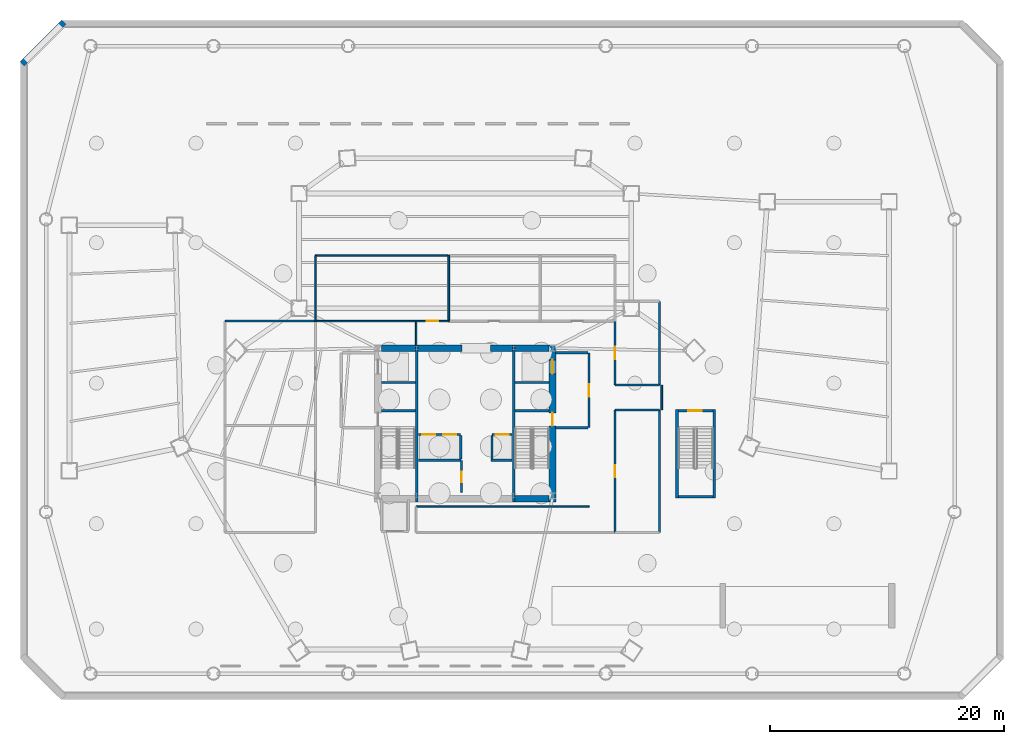
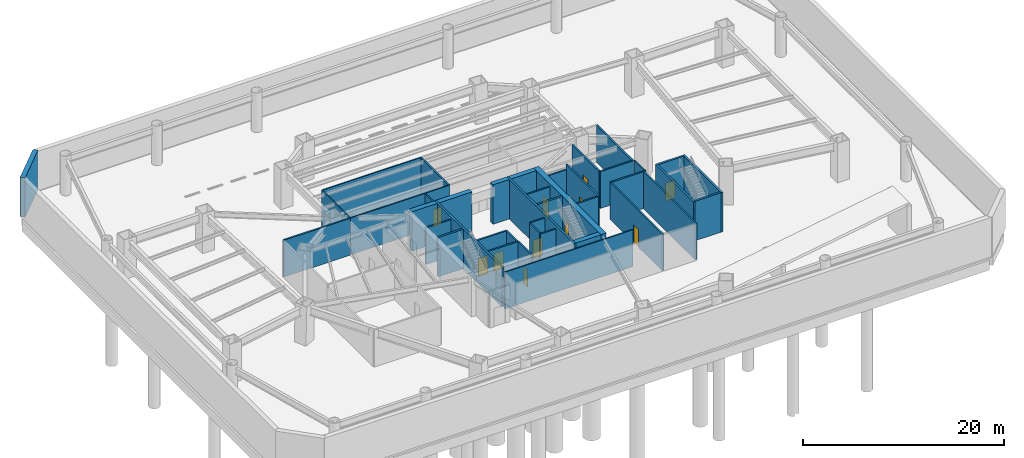
# One storey, part 7 of 11: 42 walls, 11 doors, 11 openings.
"""IFC4 building model written with IfcOpenShell, lengths in metres."""

from ifc_helpers import new_model, si_unit, direction, frame, frame_2d, origin, place, context, subcontext, project, spatial, rectangle, extrude, material, layer, layer_set, type_object, element, fill, save


model = new_model("IFC4")

# Units and contexts
model_context = context("Model", 3, precision=1e-05, world=origin(), true_north=direction((0.0, 1.0)))
body_context = subcontext(model_context, "Body", "Model", "MODEL_VIEW")
ifc_project = project(units=[si_unit("LENGTHUNIT", "METRE"), si_unit("AREAUNIT", "SQUARE_METRE"), si_unit("VOLUMEUNIT", "CUBIC_METRE"), si_unit("PLANEANGLEUNIT", "RADIAN"), si_unit("MASSUNIT", "GRAM", prefix="KILO")], contexts=[model_context])

# Site, building, storey
site_placement = place(None, origin())
site = spatial("IfcSite", under=ifc_project, at=site_placement, CompositionType="ELEMENT")
building_placement = place(site_placement, origin())
building = spatial("IfcBuilding", under=site, at=building_placement, Name="Caelisora Broadcast Tower", CompositionType="ELEMENT")
storey_placement = place(building_placement, frame((0.0, 0.0, -4.800048828125)))
storey = spatial("IfcBuildingStorey", under=building, at=storey_placement, Name="B1", CompositionType="ELEMENT", Elevation=-4.800048828125)

# Wall, openings, doors
ifc_material_1 = material(Name="Concrete 65 MPa (AS 3600 S65)", Category="concrete")
ifc_layer_1 = layer(ifc_material_1, 0.60009765625, Name="Concrete 65 MPa (AS 3600 S65)")
ifc_layer_set_1 = layer_set([ifc_layer_1], Name="Concrete 65 MPa (AS 3600 S65)")
wall_type_1 = type_object("IfcWallType", Name="CW1", PredefinedType="SHEAR", material=ifc_layer_set_1)
wall_1_placement = place(storey_placement, frame((45.4599609375, 16.85009765625, 0.0), z_axis=(0.0, 0.0, 1.0), x_axis=(0.0, 1.0, 0.0)))
wall_1 = element("IfcWall", 1, at=wall_1_placement, inside=storey, type_object=wall_type_1, Name="B1 core shear wall CW1", PredefinedType="SHEAR", context=body_context, shape_type="SweptSolid", body=[
    extrude(rectangle(XDim=13.4248046875, YDim=0.60009765625, at=frame_2d((6.71240234375, 0.0))), origin(), (0.0, 0.0, 1.0), 4.800048828125),
])
opening_1_placement = place(wall_1_placement, frame((6.5, 0.0, 0.0)))
opening_1 = element("IfcOpeningElement", 2, at=opening_1_placement, cuts=wall_1, Name="Opening FD04", PredefinedType="OPENING", context=body_context, shape_type="SweptSolid", body=[
    extrude(rectangle(XDim=1.1201171875, YDim=2.14990234375, at=frame_2d((0.56005859375, 1.074951171875))), frame((0.0, 0.31201171875, 0.0), z_axis=(0.0, -1.0, 0.0), x_axis=(1.0, 0.0, 0.0)), (0.0, 0.0, 1.0), 0.6240234375),
])
opening_2_placement = place(wall_1_placement, frame((10.949951171875, 0.0, 0.0)))
opening_2 = element("IfcOpeningElement", 3, at=opening_2_placement, cuts=wall_1, Name="Opening LD04", PredefinedType="OPENING", context=body_context, shape_type="SweptSolid", body=[
    extrude(rectangle(XDim=1.199951171875, YDim=2.199951171875, at=frame_2d((0.60009765625, 1.10009765625))), frame((0.0, 0.31201171875, 0.0), z_axis=(0.0, -1.0, 0.0), x_axis=(1.0, 0.0, 0.0)), (0.0, 0.0, 1.0), 0.6240234375),
])
ifc_material_2 = material(Name="Pressurised Fire-Isolated Stair Door", Category="steel")
door_type_1 = type_object("IfcDoorType", Name="FD04", OperationType="NOTDEFINED", PredefinedType="DOOR", material=ifc_material_2)
door_1_placement = place(opening_1_placement, origin())
door_1 = element("IfcDoor", 4, at=door_1_placement, inside=storey, type_object=door_type_1, Name="B1 door FD04 (B1-DR-ST2)", OperationType="SINGLE_SWING_RIGHT", OverallHeight=2.14990234375, OverallWidth=1.1201171875, PredefinedType="DOOR", context=body_context, shape_type="SweptSolid", body=[
    extrude(rectangle(XDim=1.1201171875, YDim=2.14990234375, at=frame_2d((0.56005859375, 1.074951171875))), frame((0.0, 0.02490234375, 0.0), z_axis=(0.0, -1.0, 0.0), x_axis=(1.0, 0.0, 0.0)), (0.0, 0.0, 1.0), 0.050048828125),
])
fill(opening_1, door_1)
ifc_material_3 = material(Name="Emergency Firefighting Lift Sliding Landing Door", Category="steel")
door_type_2 = type_object("IfcDoorType", Name="LD04", OperationType="NOTDEFINED", PredefinedType="DOOR", material=ifc_material_3)
door_2_placement = place(opening_2_placement, origin())
door_2 = element("IfcDoor", 5, at=door_2_placement, inside=storey, type_object=door_type_2, Name="B1 door LD04 (B1-LD-FFL2)", OperationType="SLIDING_TO_RIGHT", OverallHeight=2.199951171875, OverallWidth=1.199951171875, PredefinedType="DOOR", context=body_context, shape_type="SweptSolid", body=[
    extrude(rectangle(XDim=1.199951171875, YDim=2.199951171875, at=frame_2d((0.60009765625, 1.10009765625))), frame((0.0, 0.02490234375, 0.0), z_axis=(0.0, -1.0, 0.0), x_axis=(1.0, 0.0, 0.0)), (0.0, 0.0, 1.0), 0.050048828125),
])
fill(opening_2, door_2)

# Walls
ifc_layer_2 = layer(ifc_material_1, 0.550048828125, Name="Concrete 65 MPa (AS 3600 S65)")
ifc_layer_set_2 = layer_set([ifc_layer_2], Name="Concrete 65 MPa (AS 3600 S65)")
wall_type_2 = type_object("IfcWallType", Name="CW4", PredefinedType="SHEAR", material=ifc_layer_set_2)
for number, where, z_axis, x_axis, name in (
    (6, (42.260009765625, 17.125, 0.0), (0.0, 0.0, 1.0), (1.0, 0.0, 0.0), "B1 core shear wall CW4"),
    (7, (30.840087890625, 30.0, 0.0), (0.0, 0.0, 1.0), (1.0, 0.0, 0.0), "B1 core shear wall CW4"),
):
    element("IfcWall", number, at=place(storey_placement, frame(where, z_axis=z_axis, x_axis=x_axis)), inside=storey, type_object=wall_type_2, Name=name, PredefinedType="SHEAR", context=body_context, shape_type="SweptSolid", body=[
        extrude(rectangle(XDim=2.89990234375, YDim=0.550048828125, at=frame_2d((1.449951171875, 0.0))), origin(), (0.0, 0.0, 1.0), 4.800048828125),
    ])
wall_2_placement = place(storey_placement, frame((33.9599609375, 30.0, 0.0), z_axis=(0.0, 0.0, 1.0), x_axis=(1.0, 0.0, 0.0)))
element("IfcWall", 8, at=wall_2_placement, inside=storey, type_object=wall_type_2, Name="B1 core shear wall CW4", PredefinedType="SHEAR", context=body_context, shape_type="SweptSolid", body=[
    extrude(rectangle(XDim=3.780029296875, YDim=0.550048828125, at=frame_2d((1.89013671875, 0.0))), origin(), (0.0, 0.0, 1.0), 4.800048828125),
])
wall_3_placement = place(storey_placement, frame((40.159912109375, 30.0, 0.0), z_axis=(0.0, 0.0, 1.0), x_axis=(1.0, 0.0, 0.0)))
element("IfcWall", 9, at=wall_3_placement, inside=storey, type_object=wall_type_2, Name="B1 core shear wall CW4", PredefinedType="SHEAR", context=body_context, shape_type="SweptSolid", body=[
    extrude(rectangle(XDim=1.880126953125, YDim=0.550048828125, at=frame_2d((0.93994140625, 0.0))), origin(), (0.0, 0.0, 1.0), 4.800048828125),
])
wall_4_placement = place(storey_placement, frame((42.260009765625, 30.0, 0.0), z_axis=(0.0, 0.0, 1.0), x_axis=(1.0, 0.0, 0.0)))
element("IfcWall", 10, at=wall_4_placement, inside=storey, type_object=wall_type_2, Name="B1 core shear wall CW4", PredefinedType="SHEAR", context=body_context, shape_type="SweptSolid", body=[
    extrude(rectangle(XDim=2.89990234375, YDim=0.550048828125, at=frame_2d((1.449951171875, 0.0))), origin(), (0.0, 0.0, 1.0), 4.800048828125),
])
ifc_material_4 = material(Name="Concrete 50 MPa (AS 3600 S50)", Category="concrete")
ifc_layer_3 = layer(ifc_material_4, 0.219970703125, Name="Concrete 50 MPa (AS 3600 S50)")
ifc_layer_set_3 = layer_set([ifc_layer_3], Name="Concrete 50 MPa (AS 3600 S50)")
wall_type_3 = type_object("IfcWallType", Name="CW7", PredefinedType="SHEAR", material=ifc_layer_set_3)
for number, where, z_axis, x_axis, name in (
    (11, (33.85009765625, 16.85009765625, 0.0), (0.0, 0.0, 1.0), (0.0, 1.0, 0.0), "B1 core shear wall CW7"),
    (12, (42.14990234375, 16.85009765625, 0.0), (0.0, 0.0, 1.0), (0.0, 1.0, 0.0), "B1 core shear wall CW7"),
):
    element("IfcWall", number, at=place(storey_placement, frame(where, z_axis=z_axis, x_axis=x_axis)), inside=storey, type_object=wall_type_3, Name=name, PredefinedType="SHEAR", context=body_context, shape_type="SweptSolid", body=[
        extrude(rectangle(XDim=13.4248046875, YDim=0.219970703125, at=frame_2d((6.71240234375, 0.0))), origin(), (0.0, 0.0, 1.0), 4.800048828125),
    ])
for number, where, z_axis, x_axis, name in (
    (13, (30.840087890625, 24.639892578125, 0.0), (0.0, 0.0, 1.0), (1.0, 0.0, 0.0), "B1 core shear wall CW7"),
    (14, (42.260009765625, 24.639892578125, 0.0), (0.0, 0.0, 1.0), (1.0, 0.0, 0.0), "B1 core shear wall CW7"),
):
    element("IfcWall", number, at=place(storey_placement, frame(where, z_axis=z_axis, x_axis=x_axis)), inside=storey, type_object=wall_type_3, Name=name, PredefinedType="SHEAR", context=body_context, shape_type="SweptSolid", body=[
        extrude(rectangle(XDim=2.89990234375, YDim=0.219970703125, at=frame_2d((1.449951171875, 0.0))), origin(), (0.0, 0.0, 1.0), 4.800048828125),
    ])
for number, where, z_axis, x_axis, name in (
    (15, (56.090087890625, 17.179931640625, 0.0), (0.0, 0.0, 1.0), (0.0, 1.0, 0.0), "B1 core shear wall CW7"),
    (16, (59.27001953125, 17.179931640625, 0.0), (0.0, 0.0, 1.0), (0.0, 1.0, 0.0), "B1 core shear wall CW7"),
):
    element("IfcWall", number, at=place(storey_placement, frame(where, z_axis=z_axis, x_axis=x_axis)), inside=storey, type_object=wall_type_3, Name=name, PredefinedType="SHEAR", context=body_context, shape_type="SweptSolid", body=[
        extrude(rectangle(XDim=7.580078125, YDim=0.219970703125, at=frame_2d((3.7900390625, 0.0))), origin(), (0.0, 0.0, 1.0), 4.800048828125),
    ])
wall_5_placement = place(storey_placement, frame((56.199951171875, 17.2900390625, 0.0), z_axis=(0.0, 0.0, 1.0), x_axis=(1.0, 0.0, 0.0)))
element("IfcWall", 17, at=wall_5_placement, inside=storey, type_object=wall_type_3, Name="B1 core shear wall CW7", PredefinedType="SHEAR", context=body_context, shape_type="SweptSolid", body=[
    extrude(rectangle(XDim=2.9599609375, YDim=0.219970703125, at=frame_2d((1.47998046875, 0.0))), origin(), (0.0, 0.0, 1.0), 4.800048828125),
])

# Wall, opening, door
wall_6_placement = place(storey_placement, frame((56.199951171875, 24.64990234375, 0.0), z_axis=(0.0, 0.0, 1.0), x_axis=(1.0, 0.0, 0.0)))
wall_6 = element("IfcWall", 18, at=wall_6_placement, inside=storey, type_object=wall_type_3, Name="B1 core shear wall CW7", PredefinedType="SHEAR", context=body_context, shape_type="SweptSolid", body=[
    extrude(rectangle(XDim=2.9599609375, YDim=0.219970703125, at=frame_2d((1.47998046875, 0.0))), origin(), (0.0, 0.0, 1.0), 4.800048828125),
])
opening_3_placement = place(wall_6_placement, frame((0.8701171875, 0.0, 0.0)))
opening_3 = element("IfcOpeningElement", 19, at=opening_3_placement, cuts=wall_6, Name="Opening FD04", PredefinedType="OPENING", context=body_context, shape_type="SweptSolid", body=[
    extrude(rectangle(XDim=1.1201171875, YDim=2.14990234375, at=frame_2d((0.56005859375, 1.074951171875))), frame((0.0, 0.1220703125, 0.0), z_axis=(0.0, -1.0, 0.0), x_axis=(1.0, 0.0, 0.0)), (0.0, 0.0, 1.0), 0.243896484375),
])
door_3_placement = place(opening_3_placement, origin())
door_3 = element("IfcDoor", 20, at=door_3_placement, inside=storey, type_object=door_type_1, Name="B1 door FD04 (B1-DR-ST3)", OperationType="SINGLE_SWING_LEFT", OverallHeight=2.14990234375, OverallWidth=1.1201171875, PredefinedType="DOOR", context=body_context, shape_type="SweptSolid", body=[
    extrude(rectangle(XDim=1.1201171875, YDim=2.14990234375, at=frame_2d((0.56005859375, 1.074951171875))), frame((0.0, 0.02490234375, 0.0), z_axis=(0.0, -1.0, 0.0), x_axis=(1.0, 0.0, 0.0)), (0.0, 0.0, 1.0), 0.050048828125),
])
fill(opening_3, door_3)

# Wall, openings, doors
ifc_material_5 = material(Name="Fire-Rated Gypsum Shaft and Compartment Wall", Category="gypsum")
ifc_layer_4 = layer(ifc_material_5, 0.179931640625, Name="Fire-Rated Gypsum Shaft and Compartment Wall")
ifc_layer_set_4 = layer_set([ifc_layer_4], Name="Fire-Rated Gypsum Shaft and Compartment Wall")
wall_type_4 = type_object("IfcWallType", Name="PW2", PredefinedType="PARTITIONING", material=ifc_layer_set_4)
wall_7_placement = place(storey_placement, frame((34.02001953125, 22.6201171875, 0.0), z_axis=(0.0, 0.0, 1.0), x_axis=(1.0, 0.0, 0.0)))
wall_7 = element("IfcWall", 21, at=wall_7_placement, inside=storey, type_object=wall_type_4, Name="B1 fire compartment wall PW2", PredefinedType="PARTITIONING", context=body_context, shape_type="SweptSolid", body=[
    extrude(rectangle(XDim=3.60009765625, YDim=0.179931640625, at=frame_2d((1.800048828125, 0.0))), origin(), (0.0, 0.0, 1.0), 4.47998046875),
])
opening_4_placement = place(wall_7_placement, frame((0.320068359375, 0.0, 0.0)))
opening_4 = element("IfcOpeningElement", 22, at=opening_4_placement, cuts=wall_7, Name="Opening LD01", PredefinedType="OPENING", context=body_context, shape_type="SweptSolid", body=[
    extrude(rectangle(XDim=1.10009765625, YDim=2.199951171875, at=frame_2d((0.550048828125, 1.10009765625))), frame((0.0, 0.10205078125, 0.0), z_axis=(0.0, -1.0, 0.0), x_axis=(1.0, 0.0, 0.0)), (0.0, 0.0, 1.0), 0.203857421875),
])
opening_5_placement = place(wall_7_placement, frame((2.1201171875, 0.0, 0.0)))
opening_5 = element("IfcOpeningElement", 23, at=opening_5_placement, cuts=wall_7, Name="Opening LD01", PredefinedType="OPENING", context=body_context, shape_type="SweptSolid", body=[
    extrude(rectangle(XDim=1.10009765625, YDim=2.199951171875, at=frame_2d((0.550048828125, 1.10009765625))), frame((0.0, 0.10205078125, 0.0), z_axis=(0.0, -1.0, 0.0), x_axis=(1.0, 0.0, 0.0)), (0.0, 0.0, 1.0), 0.203857421875),
])
ifc_material_6 = material(Name="Stainless Steel Centre-Parting Lift Landing Door", Category="steel")
door_type_3 = type_object("IfcDoorType", Name="LD01", OperationType="NOTDEFINED", PredefinedType="DOOR", material=ifc_material_6)
door_4_placement = place(opening_4_placement, origin())
door_4 = element("IfcDoor", 24, at=door_4_placement, inside=storey, type_object=door_type_3, Name="B1 door LD01 (B1-LD-PLL1)", OperationType="SLIDING_TO_LEFT", OverallHeight=2.199951171875, OverallWidth=1.10009765625, PredefinedType="DOOR", context=body_context, shape_type="SweptSolid", body=[
    extrude(rectangle(XDim=1.10009765625, YDim=2.199951171875, at=frame_2d((0.550048828125, 1.10009765625))), frame((0.0, 0.02490234375, 0.0), z_axis=(0.0, -1.0, 0.0), x_axis=(1.0, 0.0, 0.0)), (0.0, 0.0, 1.0), 0.050048828125),
])
fill(opening_4, door_4)
door_5_placement = place(opening_5_placement, origin())
door_5 = element("IfcDoor", 25, at=door_5_placement, inside=storey, type_object=door_type_3, Name="B1 door LD01 (B1-LD-PLL2)", OperationType="SLIDING_TO_RIGHT", OverallHeight=2.199951171875, OverallWidth=1.10009765625, PredefinedType="DOOR", context=body_context, shape_type="SweptSolid", body=[
    extrude(rectangle(XDim=1.10009765625, YDim=2.199951171875, at=frame_2d((0.550048828125, 1.10009765625))), frame((0.0, 0.02490234375, 0.0), z_axis=(0.0, -1.0, 0.0), x_axis=(1.0, 0.0, 0.0)), (0.0, 0.0, 1.0), 0.050048828125),
])
fill(opening_5, door_5)

# Wall, opening, door
wall_8_placement = place(storey_placement, frame((40.280029296875, 22.6201171875, 0.0), z_axis=(0.0, 0.0, 1.0), x_axis=(1.0, 0.0, 0.0)))
wall_8 = element("IfcWall", 26, at=wall_8_placement, inside=storey, type_object=wall_type_4, Name="B1 fire compartment wall PW2", PredefinedType="PARTITIONING", context=body_context, shape_type="SweptSolid", body=[
    extrude(rectangle(XDim=1.699951171875, YDim=0.179931640625, at=frame_2d((0.85009765625, 0.0))), origin(), (0.0, 0.0, 1.0), 4.47998046875),
])
opening_6_placement = place(wall_8_placement, frame((0.35009765625, 0.0, 0.0)))
opening_6 = element("IfcOpeningElement", 27, at=opening_6_placement, cuts=wall_8, Name="Opening LD01", PredefinedType="OPENING", context=body_context, shape_type="SweptSolid", body=[
    extrude(rectangle(XDim=1.10009765625, YDim=2.199951171875, at=frame_2d((0.550048828125, 1.10009765625))), frame((0.0, 0.10205078125, 0.0), z_axis=(0.0, -1.0, 0.0), x_axis=(1.0, 0.0, 0.0)), (0.0, 0.0, 1.0), 0.203857421875),
])
door_6_placement = place(opening_6_placement, origin())
door_6 = element("IfcDoor", 28, at=door_6_placement, inside=storey, type_object=door_type_3, Name="B1 door LD01 (B1-LD-PLL3)", OperationType="SLIDING_TO_LEFT", OverallHeight=2.199951171875, OverallWidth=1.10009765625, PredefinedType="DOOR", context=body_context, shape_type="SweptSolid", body=[
    extrude(rectangle(XDim=1.10009765625, YDim=2.199951171875, at=frame_2d((0.550048828125, 1.10009765625))), frame((0.0, 0.02490234375, 0.0), z_axis=(0.0, -1.0, 0.0), x_axis=(1.0, 0.0, 0.0)), (0.0, 0.0, 1.0), 0.050048828125),
])
fill(opening_6, door_6)

# Walls
for number, where, z_axis, x_axis, name in (
    (29, (37.6201171875, 20.52001953125, 0.0), (0.0, 0.0, 1.0), (0.0, 1.0, 0.0), "B1 fire compartment wall PW2"),
    (30, (40.280029296875, 20.52001953125, 0.0), (0.0, 0.0, 1.0), (0.0, 1.0, 0.0), "B1 fire compartment wall PW2"),
):
    element("IfcWall", number, at=place(storey_placement, frame(where, z_axis=z_axis, x_axis=x_axis)), inside=storey, type_object=wall_type_4, Name=name, PredefinedType="PARTITIONING", context=body_context, shape_type="SweptSolid", body=[
        extrude(rectangle(XDim=2.0, YDim=0.179931640625, at=frame_2d((1.0, 0.0))), origin(), (0.0, 0.0, 1.0), 4.47998046875),
    ])

# Wall, opening, door
wall_9_placement = place(storey_placement, frame((48.580078125, 23.199951171875, 0.0), z_axis=(0.0, 0.0, 1.0), x_axis=(0.0, 1.0, 0.0)))
wall_9 = element("IfcWall", 31, at=wall_9_placement, inside=storey, type_object=wall_type_4, Name="B1 fire compartment wall PW2", PredefinedType="PARTITIONING", context=body_context, shape_type="SweptSolid", body=[
    extrude(rectangle(XDim=6.400146484375, YDim=0.179931640625, at=frame_2d((3.2001953125, 0.0))), origin(), (0.0, 0.0, 1.0), 4.47998046875),
])
opening_7_placement = place(wall_9_placement, frame((2.64990234375, 0.0, 0.0)))
opening_7 = element("IfcOpeningElement", 32, at=opening_7_placement, cuts=wall_9, Name="Opening FD02", PredefinedType="OPENING", context=body_context, shape_type="SweptSolid", body=[
    extrude(rectangle(XDim=1.050048828125, YDim=2.14990234375, at=frame_2d((0.52490234375, 1.074951171875))), frame((0.0, 0.10205078125, 0.0), z_axis=(0.0, -1.0, 0.0), x_axis=(1.0, 0.0, 0.0)), (0.0, 0.0, 1.0), 0.203857421875),
])
ifc_material_7 = material(Name="Single-Leaf Steel Fire Lobby Door", Category="steel")
door_type_4 = type_object("IfcDoorType", Name="FD02", OperationType="NOTDEFINED", PredefinedType="DOOR", material=ifc_material_7)
door_7_placement = place(opening_7_placement, origin())
door_7 = element("IfcDoor", 33, at=door_7_placement, inside=storey, type_object=door_type_4, Name="B1 door FD02 (B1-DR-P04D1)", OperationType="SINGLE_SWING_RIGHT", OverallHeight=2.14990234375, OverallWidth=1.050048828125, PredefinedType="DOOR", context=body_context, shape_type="SweptSolid", body=[
    extrude(rectangle(XDim=1.050048828125, YDim=2.14990234375, at=frame_2d((0.52490234375, 1.074951171875))), frame((0.0, 0.02490234375, 0.0), z_axis=(0.0, -1.0, 0.0), x_axis=(1.0, 0.0, 0.0)), (0.0, 0.0, 1.0), 0.050048828125),
])
fill(opening_7, door_7)

# Walls
wall_10_placement = place(storey_placement, frame((45.719970703125, 23.199951171875, 0.0), z_axis=(0.0, 0.0, 1.0), x_axis=(1.0, 0.0, 0.0)))
element("IfcWall", 34, at=wall_10_placement, inside=storey, type_object=wall_type_4, Name="B1 fire compartment wall PW2", PredefinedType="PARTITIONING", context=body_context, shape_type="SweptSolid", body=[
    extrude(rectangle(XDim=2.760009765625, YDim=0.179931640625, at=frame_2d((1.3798828125, 0.0))), origin(), (0.0, 0.0, 1.0), 4.47998046875),
])
wall_11_placement = place(storey_placement, frame((45.719970703125, 29.60009765625, 0.0), z_axis=(0.0, 0.0, 1.0), x_axis=(1.0, 0.0, 0.0)))
element("IfcWall", 35, at=wall_11_placement, inside=storey, type_object=wall_type_4, Name="B1 fire compartment wall PW2", PredefinedType="PARTITIONING", context=body_context, shape_type="SweptSolid", body=[
    extrude(rectangle(XDim=2.760009765625, YDim=0.179931640625, at=frame_2d((1.3798828125, 0.0))), origin(), (0.0, 0.0, 1.0), 3.853515625),
])
for number, where, z_axis, x_axis, name in (
    (36, (30.860107421875, 27.070068359375, 0.0), (0.0, 0.0, 1.0), (1.0, 0.0, 0.0), "B1 fire compartment wall PW2"),
    (37, (42.239990234375, 27.070068359375, 0.0), (0.0, 0.0, 1.0), (1.0, 0.0, 0.0), "B1 fire compartment wall PW2"),
):
    element("IfcWall", number, at=place(storey_placement, frame(where, z_axis=z_axis, x_axis=x_axis)), inside=storey, type_object=wall_type_4, Name=name, PredefinedType="PARTITIONING", context=body_context, shape_type="SweptSolid", body=[
        extrude(rectangle(XDim=2.89990234375, YDim=0.179931640625, at=frame_2d((1.449951171875, 0.0))), origin(), (0.0, 0.0, 1.0), 4.47998046875),
    ])
wall_12_placement = place(storey_placement, frame((34.02001953125, 20.419921875, 0.0), z_axis=(0.0, 0.0, 1.0), x_axis=(1.0, 0.0, 0.0)))
element("IfcWall", 38, at=wall_12_placement, inside=storey, type_object=wall_type_4, Name="B1 fire compartment wall PW2", PredefinedType="PARTITIONING", context=body_context, shape_type="SweptSolid", body=[
    extrude(rectangle(XDim=3.639892578125, YDim=0.179931640625, at=frame_2d((1.81982421875, 0.0))), origin(), (0.0, 0.0, 1.0), 4.47998046875),
])
wall_13_placement = place(storey_placement, frame((40.219970703125, 20.419921875, 0.0), z_axis=(0.0, 0.0, 1.0), x_axis=(1.0, 0.0, 0.0)))
element("IfcWall", 39, at=wall_13_placement, inside=storey, type_object=wall_type_4, Name="B1 fire compartment wall PW2", PredefinedType="PARTITIONING", context=body_context, shape_type="SweptSolid", body=[
    extrude(rectangle(XDim=1.760009765625, YDim=0.179931640625, at=frame_2d((0.8798828125, 0.0))), origin(), (0.0, 0.0, 1.0), 4.47998046875),
])

# Wall, opening, door
wall_14_placement = place(storey_placement, frame((37.679931640625, 17.679931640625, 0.0), z_axis=(0.0, 0.0, 1.0), x_axis=(0.0, 1.0, 0.0)))
wall_14 = element("IfcWall", 40, at=wall_14_placement, inside=storey, type_object=wall_type_4, Name="B1 fire compartment wall PW2", PredefinedType="PARTITIONING", context=body_context, shape_type="SweptSolid", body=[
    extrude(rectangle(XDim=2.699951171875, YDim=0.179931640625, at=frame_2d((1.35009765625, 0.0))), origin(), (0.0, 0.0, 1.0), 4.47998046875),
])
opening_8_placement = place(wall_14_placement, frame((0.85009765625, 0.0, 0.0)))
opening_8 = element("IfcOpeningElement", 41, at=opening_8_placement, cuts=wall_14, Name="Opening FD03", PredefinedType="OPENING", context=body_context, shape_type="SweptSolid", body=[
    extrude(rectangle(XDim=0.89990234375, YDim=2.10009765625, at=frame_2d((0.449951171875, 1.050048828125))), frame((0.0, 0.10205078125, 0.0), z_axis=(0.0, -1.0, 0.0), x_axis=(1.0, 0.0, 0.0)), (0.0, 0.0, 1.0), 0.203857421875),
])
ifc_material_8 = material(Name="Single-Leaf Steel Riser Fire Access Door", Category="steel")
door_type_5 = type_object("IfcDoorType", Name="FD03", OperationType="NOTDEFINED", PredefinedType="DOOR", material=ifc_material_8)
door_8_placement = place(opening_8_placement, origin())
door_8 = element("IfcDoor", 42, at=door_8_placement, inside=storey, type_object=door_type_5, Name="B1 door FD03 (B1-DR-P11D1)", OperationType="SINGLE_SWING_LEFT", OverallHeight=2.10009765625, OverallWidth=0.89990234375, PredefinedType="DOOR", context=body_context, shape_type="SweptSolid", body=[
    extrude(rectangle(XDim=0.89990234375, YDim=2.10009765625, at=frame_2d((0.449951171875, 1.050048828125))), frame((0.0, 0.02490234375, 0.0), z_axis=(0.0, -1.0, 0.0), x_axis=(1.0, 0.0, 0.0)), (0.0, 0.0, 1.0), 0.050048828125),
])
fill(opening_8, door_8)

wall_15_placement = place(storey_placement, frame((50.800048828125, 14.2548828125, 0.0), z_axis=(0.0, 0.0, 1.0), x_axis=(0.0, 1.0, 0.0)))
wall_15 = element("IfcWall", 43, at=wall_15_placement, inside=storey, type_object=wall_type_4, Name="B1 fire compartment wall PW2", PredefinedType="PARTITIONING", context=body_context, shape_type="SweptSolid", body=[
    extrude(rectangle(XDim=10.440185546875, YDim=0.179931640625, at=frame_2d((5.22021484375, 0.0))), origin(), (0.0, 0.0, 1.0), 4.47998046875),
])
opening_9_placement = place(wall_15_placement, frame((4.695068359375, 0.0, 0.0)))
opening_9 = element("IfcOpeningElement", 44, at=opening_9_placement, cuts=wall_15, Name="Opening FD02", PredefinedType="OPENING", context=body_context, shape_type="SweptSolid", body=[
    extrude(rectangle(XDim=1.050048828125, YDim=2.14990234375, at=frame_2d((0.52490234375, 1.074951171875))), frame((0.0, 0.10205078125, 0.0), z_axis=(0.0, -1.0, 0.0), x_axis=(1.0, 0.0, 0.0)), (0.0, 0.0, 1.0), 0.203857421875),
])
door_9_placement = place(opening_9_placement, origin())
door_9 = element("IfcDoor", 45, at=door_9_placement, inside=storey, type_object=door_type_4, Name="B1 door FD02 (B1-DR-P20D1)", OperationType="SINGLE_SWING_RIGHT", OverallHeight=2.14990234375, OverallWidth=1.050048828125, PredefinedType="DOOR", context=body_context, shape_type="SweptSolid", body=[
    extrude(rectangle(XDim=1.050048828125, YDim=2.14990234375, at=frame_2d((0.52490234375, 1.074951171875))), frame((0.0, 0.02490234375, 0.0), z_axis=(0.0, -1.0, 0.0), x_axis=(1.0, 0.0, 0.0)), (0.0, 0.0, 1.0), 0.050048828125),
])
fill(opening_9, door_9)

# Walls
wall_16_placement = place(storey_placement, frame((54.60009765625, 14.2548828125, 0.0), z_axis=(0.0, 0.0, 1.0), x_axis=(0.0, 1.0, 0.0)))
element("IfcWall", 46, at=wall_16_placement, inside=storey, type_object=wall_type_4, Name="B1 fire compartment wall PW2", PredefinedType="PARTITIONING", context=body_context, shape_type="SweptSolid", body=[
    extrude(rectangle(XDim=10.440185546875, YDim=0.179931640625, at=frame_2d((5.22021484375, 0.0))), origin(), (0.0, 0.0, 1.0), 4.47998046875),
])
wall_17_placement = place(storey_placement, frame((17.5048828125, 32.300048828125, 0.0), z_axis=(0.0, 0.0, 1.0), x_axis=(1.0, 0.0, 0.0)))
element("IfcWall", 47, at=wall_17_placement, inside=storey, type_object=wall_type_4, Name="B1 fire compartment wall PW2", PredefinedType="PARTITIONING", context=body_context, shape_type="SweptSolid", body=[
    extrude(rectangle(XDim=7.690185546875, YDim=0.179931640625, at=frame_2d((3.84521484375, 0.0))), origin(), (0.0, 0.0, 1.0), 4.47998046875),
])
wall_18_placement = place(storey_placement, frame((54.60009765625, 33.9951171875, 0.0), z_axis=(0.0, 0.0, 1.0), x_axis=(0.0, -1.0, 0.0)))
element("IfcWall", 48, at=wall_18_placement, inside=storey, type_object=wall_type_4, Name="B1 fire compartment wall PW2", PredefinedType="PARTITIONING", context=body_context, shape_type="SweptSolid", body=[
    extrude(rectangle(XDim=7.14013671875, YDim=0.179931640625, at=frame_2d((3.570068359375, 0.0))), origin(), (0.0, 0.0, 1.0), 4.47998046875),
])

# Wall, opening, door
wall_19_placement = place(storey_placement, frame((50.800048828125, 26.85498046875, 0.0), z_axis=(0.0, 0.0, 1.0), x_axis=(0.0, 1.0, 0.0)))
wall_19 = element("IfcWall", 49, at=wall_19_placement, inside=storey, type_object=wall_type_4, Name="B1 fire compartment wall PW2", PredefinedType="PARTITIONING", context=body_context, shape_type="SweptSolid", body=[
    extrude(rectangle(XDim=5.43994140625, YDim=0.179931640625, at=frame_2d((2.719970703125, 0.0))), origin(), (0.0, 0.0, 1.0), 4.47998046875),
])
opening_10_placement = place(wall_19_placement, frame((2.195068359375, 0.0, 0.0)))
opening_10 = element("IfcOpeningElement", 50, at=opening_10_placement, cuts=wall_19, Name="Opening FD02", PredefinedType="OPENING", context=body_context, shape_type="SweptSolid", body=[
    extrude(rectangle(XDim=1.050048828125, YDim=2.14990234375, at=frame_2d((0.52490234375, 1.074951171875))), frame((0.0, 0.10205078125, 0.0), z_axis=(0.0, -1.0, 0.0), x_axis=(1.0, 0.0, 0.0)), (0.0, 0.0, 1.0), 0.203857421875),
])
door_10_placement = place(opening_10_placement, origin())
door_10 = element("IfcDoor", 51, at=door_10_placement, inside=storey, type_object=door_type_4, Name="B1 door FD02 (B1-DR-P30D1)", OperationType="SINGLE_SWING_LEFT", OverallHeight=2.14990234375, OverallWidth=1.050048828125, PredefinedType="DOOR", context=body_context, shape_type="SweptSolid", body=[
    extrude(rectangle(XDim=1.050048828125, YDim=2.14990234375, at=frame_2d((0.52490234375, 1.074951171875))), frame((0.0, 0.02490234375, 0.0), z_axis=(0.0, -1.0, 0.0), x_axis=(1.0, 0.0, 0.0)), (0.0, 0.0, 1.0), 0.050048828125),
])
fill(opening_10, door_10)

# Walls
for number, where, z_axis, x_axis, name in (
    (52, (50.804931640625, 24.699951171875, 0.0), (0.0, 0.0, 1.0), (1.0, 0.0, 0.0), "B1 fire compartment wall PW2"),
    (53, (54.594970703125, 26.85009765625, 0.0), (0.0, 0.0, 1.0), (-1.0, 0.0, 0.0), "B1 fire compartment wall PW2"),
):
    element("IfcWall", number, at=place(storey_placement, frame(where, z_axis=z_axis, x_axis=x_axis)), inside=storey, type_object=wall_type_4, Name=name, PredefinedType="PARTITIONING", context=body_context, shape_type="SweptSolid", body=[
        extrude(rectangle(XDim=3.7900390625, YDim=0.179931640625, at=frame_2d((1.89501953125, 0.0))), origin(), (0.0, 0.0, 1.0), 4.47998046875),
    ])
ifc_material_9 = material(Name="Acoustic Steel-Stud Plasterboard Partition", Category="gypsum")
ifc_layer_5 = layer(ifc_material_9, 0.1298828125, Name="Acoustic Steel-Stud Plasterboard Partition")
ifc_layer_set_5 = layer_set([ifc_layer_5], Name="Acoustic Steel-Stud Plasterboard Partition")
wall_type_5 = type_object("IfcWallType", Name="PW3", PredefinedType="PARTITIONING", material=ifc_layer_set_5)
wall_20_placement = place(storey_placement, frame((48.580078125, 16.449951171875, 0.0), z_axis=(0.0, 0.0, 1.0), x_axis=(-1.0, 0.0, 0.0)))
element("IfcWall", 54, at=wall_20_placement, inside=storey, type_object=wall_type_5, Name="B1 internal partition PW3", PredefinedType="PARTITIONING", context=body_context, shape_type="SweptSolid", body=[
    extrude(rectangle(XDim=14.76513671875, YDim=0.1298828125, at=frame_2d((7.382568359375, 0.0))), origin(), (0.0, 0.0, 1.0), 4.47998046875),
])
wall_21_placement = place(storey_placement, frame((25.205078125, 37.89990234375, 0.0), z_axis=(0.0, 0.0, 1.0), x_axis=(1.0, 0.0, 0.0)))
element("IfcWall", 55, at=wall_21_placement, inside=storey, type_object=wall_type_5, Name="B1 internal partition PW3", PredefinedType="PARTITIONING", context=body_context, shape_type="SweptSolid", body=[
    extrude(rectangle(XDim=11.389892578125, YDim=0.1298828125, at=frame_2d((5.69482421875, 0.0))), origin(), (0.0, 0.0, 1.0), 4.47998046875),
])
wall_22_placement = place(storey_placement, frame((25.205078125, 32.300048828125, 0.0), z_axis=(0.0, 0.0, 1.0), x_axis=(1.0, 0.0, 0.0)))
element("IfcWall", 56, at=wall_22_placement, inside=storey, type_object=wall_type_5, Name="B1 internal partition PW3", PredefinedType="PARTITIONING", context=body_context, shape_type="SweptSolid", body=[
    extrude(rectangle(XDim=8.599853515625, YDim=0.1298828125, at=frame_2d((4.2998046875, 0.0))), origin(), (0.0, 0.0, 1.0), 4.47998046875),
])
wall_23_placement = place(storey_placement, frame((25.199951171875, 32.304931640625, 0.0), z_axis=(0.0, 0.0, 1.0), x_axis=(0.0, 1.0, 0.0)))
element("IfcWall", 57, at=wall_23_placement, inside=storey, type_object=wall_type_5, Name="B1 internal partition PW3", PredefinedType="PARTITIONING", context=body_context, shape_type="SweptSolid", body=[
    extrude(rectangle(XDim=5.590087890625, YDim=0.1298828125, at=frame_2d((2.794921875, 0.0))), origin(), (0.0, 0.0, 1.0), 4.47998046875),
])

# Wall, opening, door
wall_24_placement = place(storey_placement, frame((33.81494140625, 32.300048828125, 0.0), z_axis=(0.0, 0.0, 1.0), x_axis=(1.0, 0.0, 0.0)))
wall_24 = element("IfcWall", 58, at=wall_24_placement, inside=storey, type_object=wall_type_5, Name="B1 internal partition PW3", PredefinedType="PARTITIONING", context=body_context, shape_type="SweptSolid", body=[
    extrude(rectangle(XDim=2.780029296875, YDim=0.1298828125, at=frame_2d((1.39013671875, 0.0))), origin(), (0.0, 0.0, 1.0), 4.47998046875),
])
opening_11_placement = place(wall_24_placement, frame((0.909912109375, 0.0, 0.0)))
opening_11 = element("IfcOpeningElement", 59, at=opening_11_placement, cuts=wall_24, Name="Opening D01", PredefinedType="OPENING", context=body_context, shape_type="SweptSolid", body=[
    extrude(rectangle(XDim=0.9599609375, YDim=2.14990234375, at=frame_2d((0.47998046875, 1.074951171875))), frame((0.0, 0.076904296875, 0.0), z_axis=(0.0, -1.0, 0.0), x_axis=(1.0, 0.0, 0.0)), (0.0, 0.0, 1.0), 0.15380859375),
])
ifc_material_10 = material(Name="Solid-Core Timber Acoustic Office Door", Category="wood")
door_type_6 = type_object("IfcDoorType", Name="D01", OperationType="NOTDEFINED", PredefinedType="DOOR", material=ifc_material_10)
door_11_placement = place(opening_11_placement, origin())
door_11 = element("IfcDoor", 60, at=door_11_placement, inside=storey, type_object=door_type_6, Name="B1 door D01 (B1-DR-P40D1)", OperationType="SINGLE_SWING_RIGHT", OverallHeight=2.14990234375, OverallWidth=0.9599609375, PredefinedType="DOOR", context=body_context, shape_type="SweptSolid", body=[
    extrude(rectangle(XDim=0.9599609375, YDim=2.14990234375, at=frame_2d((0.47998046875, 1.074951171875))), frame((0.0, 0.02490234375, 0.0), z_axis=(0.0, -1.0, 0.0), x_axis=(1.0, 0.0, 0.0)), (0.0, 0.0, 1.0), 0.050048828125),
])
fill(opening_11, door_11)

# Walls
wall_25_placement = place(storey_placement, frame((33.81005859375, 32.294921875, 0.0), z_axis=(0.0, 0.0, 1.0), x_axis=(0.0, -1.0, 0.0)))
element("IfcWall", 61, at=wall_25_placement, inside=storey, type_object=wall_type_5, Name="B1 internal partition PW3", PredefinedType="PARTITIONING", context=body_context, shape_type="SweptSolid", body=[
    extrude(rectangle(XDim=2.119873046875, YDim=0.1298828125, at=frame_2d((1.06005859375, 0.0))), origin(), (0.0, 0.0, 1.0), 4.47998046875),
])
wall_26_placement = place(storey_placement, frame((54.7900390625, 24.719970703125, 0.0), z_axis=(0.0, 0.0, 1.0), x_axis=(0.0, 1.0, 0.0)))
element("IfcWall", 62, at=wall_26_placement, inside=storey, type_object=wall_type_5, Name="B1 internal partition PW3", PredefinedType="PARTITIONING", context=body_context, shape_type="SweptSolid", body=[
    extrude(rectangle(XDim=2.110107421875, YDim=0.1298828125, at=frame_2d((1.05517578125, 0.0))), origin(), (0.0, 0.0, 1.0), 4.47998046875),
])
ifc_material_11 = material(Name="Moisture-Resistant Wet Plumbing Service Wall", Category="gypsum")
ifc_layer_6 = layer(ifc_material_11, 0.159912109375, Name="Moisture-Resistant Wet Plumbing Service Wall")
ifc_layer_set_6 = layer_set([ifc_layer_6], Name="Moisture-Resistant Wet Plumbing Service Wall")
wall_type_6 = type_object("IfcWallType", Name="PW4", PredefinedType="PLUMBINGWALL", material=ifc_layer_set_6)
wall_27_placement = place(storey_placement, frame((36.60009765625, 32.27490234375, 0.0), z_axis=(0.0, 0.0, 1.0), x_axis=(0.0, 1.0, 0.0)))
element("IfcWall", 63, at=wall_27_placement, inside=storey, type_object=wall_type_6, Name="B1 wet plumbing wall PW4", PredefinedType="PLUMBINGWALL", context=body_context, shape_type="SweptSolid", body=[
    extrude(rectangle(XDim=5.650146484375, YDim=0.159912109375, at=frame_2d((2.8251953125, 0.0))), origin(), (0.0, 0.0, 1.0), 4.47998046875),
])
ifc_layer_7 = layer(ifc_material_4, 0.52001953125, Name="Concrete 50 MPa (AS 3600 S50)")
ifc_layer_set_7 = layer_set([ifc_layer_7], Name="Concrete 50 MPa (AS 3600 S50)")
wall_type_7 = type_object("IfcWallType", Name="RW1", PredefinedType="SOLIDWALL", material=ifc_layer_set_7)
wall_28_placement = place(storey_placement, frame((0.160888671875, 54.293212890625, 0.0), z_axis=(0.0, 0.0, 1.0), x_axis=(0.707106781187, 0.707106781187, 0.0)))
element("IfcWall", 64, at=wall_28_placement, inside=storey, type_object=wall_type_7, Name="B1 basement retaining wall RW1", PredefinedType="SOLIDWALL", context=body_context, shape_type="SweptSolid", body=[
    extrude(rectangle(XDim=5.0146484375, YDim=0.52001953125, at=frame_2d((2.50732421875, 0.0))), origin(), (0.0, 0.0, 1.0), 4.800048828125),
])

save(model, "model.ifc")
